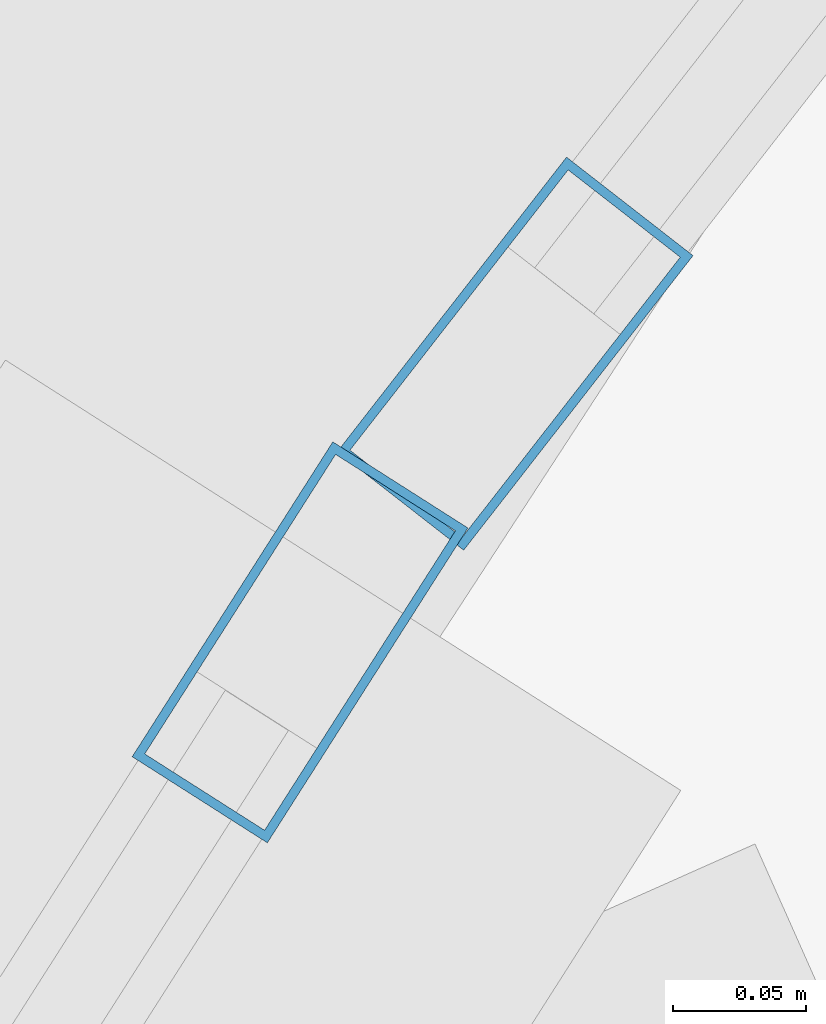
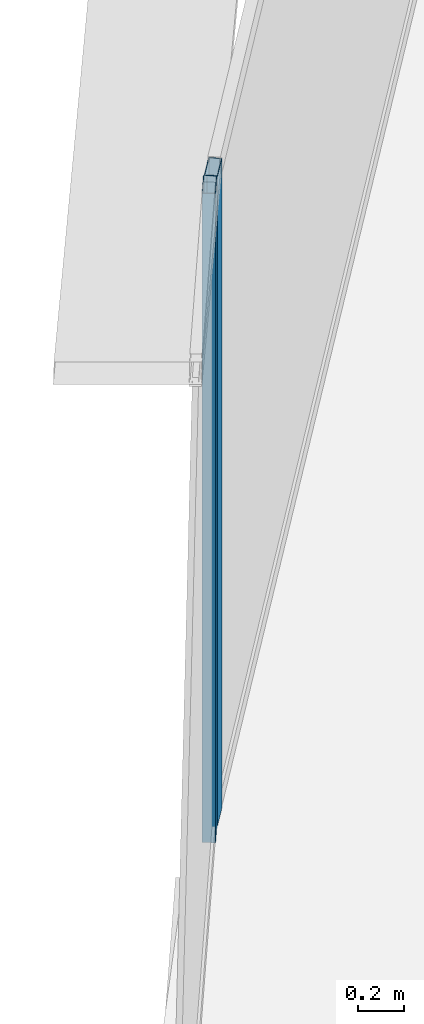
# One storey, part 22 of 40: 2 members, 2 elements without a shape of their own.
"""IFC4 building model written with IfcOpenShell, lengths in metres."""

from ifc_helpers import new_model, si_unit, direction, frame, origin, origin_2d, place, context, subcontext, project, spatial, hollow_rectangle, extrude, source, transform, mapped, material, layer, layer_set, material_profile, profile_set, type_object, element, aggregate, save


model = new_model("IFC4")

# Units and contexts
model_context = context("Model", 3, precision=1e-05, world=origin(), true_north=direction((0.0, 1.0)))
body_context = subcontext(model_context, "Body", "Model", "MODEL_VIEW")
ifc_project = project(units=[si_unit("LENGTHUNIT", "METRE"), si_unit("AREAUNIT", "SQUARE_METRE"), si_unit("VOLUMEUNIT", "CUBIC_METRE"), si_unit("PLANEANGLEUNIT", "RADIAN"), si_unit("MASSUNIT", "GRAM", prefix="KILO"), si_unit("THERMODYNAMICTEMPERATUREUNIT", "KELVIN"), si_unit("POWERUNIT", "WATT")], contexts=[model_context])

# Site, building, storey
site_placement = place(None, origin())
site = spatial("IfcSite", under=ifc_project, at=site_placement, CompositionType="ELEMENT")
building_placement = place(site_placement, origin())
building = spatial("IfcBuilding", under=site, at=building_placement, Name="Yunzhuo Pagoda Commons", CompositionType="ELEMENT")
storey_placement = place(building_placement, frame((0.0, 0.0, 292.47998046875)))
storey = spatial("IfcBuildingStorey", under=building, at=storey_placement, Name="L73", CompositionType="ELEMENT", Elevation=292.47998046875)

# Curtain wall, member
ifc_material = material(Name="Anodized aluminium 6063-T6", Category="aluminium")
ifc_layer = layer(ifc_material, 0.139892578125)
ifc_layer_set = layer_set([ifc_layer], Name="Anodized aluminium 6063-T6")
curtain_wall_type = type_object("IfcCurtainWallType", Name="CW-HI High-Zone Ribbon Curtain Wall", PredefinedType="NOTDEFINED", material=ifc_layer_set)
curtain_wall_1_placement = place(storey_placement, origin())
curtain_wall_1 = element("IfcCurtainWall", 1, at=curtain_wall_1_placement, inside=storey, type_object=curtain_wall_type, Name="L73 curtain wall CW-L73-F3B2", PredefinedType="NOTDEFINED")
ifc_material_profile = material_profile(ifc_material, hollow_rectangle(XDim=0.06005859375, YDim=0.139892578125, WallThickness=0.00341796875, at=origin_2d()), Name="Anodized aluminium 6063-T6")
ifc_profile_set = profile_set([ifc_material_profile], Name="Anodized aluminium 6063-T6")
member_type = type_object("IfcMemberType", Name="CW-HI-M Mullion RHS 140x60x3.5", PredefinedType="MULLION", material=ifc_profile_set)
shared_shape = source(origin(), body_context, "Body", "SweptSolid", [
    extrude(hollow_rectangle(XDim=0.06005859375, YDim=0.139892578125, WallThickness=0.00341796875, at=origin_2d()), origin(), (0.0, 0.0, 1.0), 3.4697265625),
])
member_1_placement = place(storey_placement, frame((34.79638671875, 63.29443359375, 0.000244140625), z_axis=(0.0, 0.0, 1.0), x_axis=(0.84332965014, -0.537396595816, 0.0)))
member_1 = element("IfcMember", 2, at=member_1_placement, type_object=member_type, Name="CW mullion 1", PredefinedType="MULLION", context=body_context, shape_type="MappedRepresentation", body=[
    mapped(shared_shape, transform((0.0, 0.0, 0.0), scale=1.0)),
])
aggregate(curtain_wall_1, [member_1])

curtain_wall_2_placement = place(storey_placement, origin())
curtain_wall_2 = element("IfcCurtainWall", 3, at=curtain_wall_2_placement, inside=storey, type_object=curtain_wall_type, Name="L73 curtain wall CW-L73-F3B1", PredefinedType="NOTDEFINED")
member_2_placement = place(storey_placement, frame((34.876953125, 63.402587890625, 0.000244140625), z_axis=(0.0, 0.0, 1.0), x_axis=(0.789102923127, -0.614261000482, 0.0)))
member_2 = element("IfcMember", 4, at=member_2_placement, type_object=member_type, Name="CW mullion 2", PredefinedType="MULLION", context=body_context, shape_type="MappedRepresentation", body=[
    mapped(shared_shape, transform((0.0, 0.0, 0.0), scale=1.0)),
])
aggregate(curtain_wall_2, [member_2])

save(model, "model.ifc")
